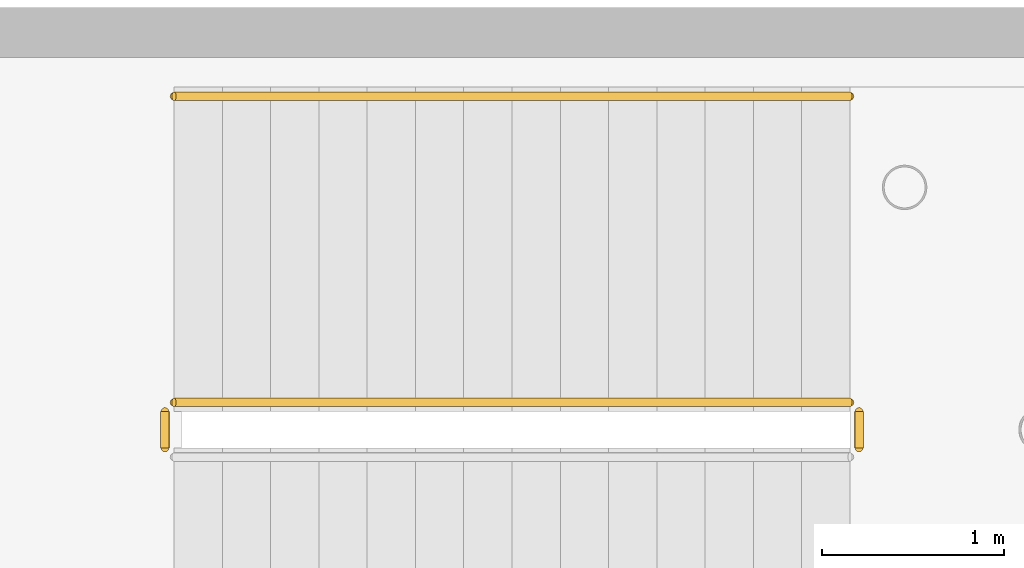
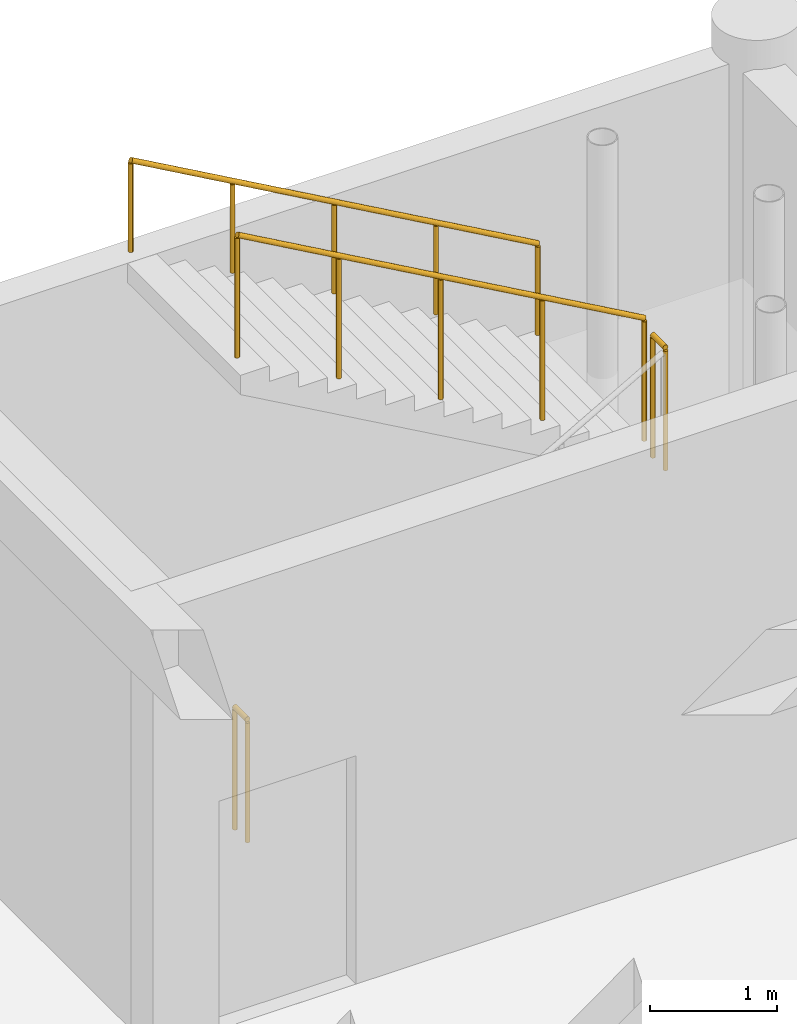
# One storey, part 155 of 160: 4 railings.
"""IFC4 building model written with IfcOpenShell, lengths in metres."""

from ifc_helpers import new_model, si_unit, direction, frame, origin, origin_2d, place, context, subcontext, project, spatial, circle, extrude, material, type_object, element, save


model = new_model("IFC4")

# Units and contexts
model_context = context("Model", 3, precision=1e-05, world=origin(), true_north=direction((0.0, 1.0)))
body_context = subcontext(model_context, "Body", "Model", "MODEL_VIEW")
ifc_project = project(units=[si_unit("LENGTHUNIT", "METRE"), si_unit("AREAUNIT", "SQUARE_METRE"), si_unit("VOLUMEUNIT", "CUBIC_METRE"), si_unit("PLANEANGLEUNIT", "RADIAN"), si_unit("MASSUNIT", "GRAM", prefix="KILO")], contexts=[model_context])

# Site, building, storey
site_placement = place(None, origin())
site = spatial("IfcSite", under=ifc_project, at=site_placement, CompositionType="ELEMENT")
building_placement = place(site_placement, origin())
building = spatial("IfcBuilding", under=site, at=building_placement, Name="Kharva Crest Polytechnic", CompositionType="ELEMENT")
storey_placement = place(building_placement, frame((0.0, 0.0, 4.5)))
storey = spatial("IfcBuildingStorey", under=building, at=storey_placement, Name="L01", CompositionType="ELEMENT", Elevation=4.5)

# Railings
ifc_material_1 = material(Name="Anodised aluminium", Category="aluminium")
railing_type_1 = type_object("IfcRailingType", Name="RL-STAIR-GUARD-1200", PredefinedType="GUARDRAIL", material=ifc_material_1)
railing_1_placement = place(storey_placement, frame((109.85009765625, 119.719970703125, 2.25)))
element("IfcRailing", 1, at=railing_1_placement, inside=storey, type_object=railing_type_1, Name="L01 ST-04 stair guard 2", PredefinedType="GUARDRAIL", context=body_context, shape_type="SweptSolid", body=[
    extrude(circle(Radius=0.02392578125, at=origin_2d()), frame((0.0, 0.0, 1.17578125), z_axis=(0.0, 1.0, 0.0), x_axis=(-1.0, 0.0, 0.0)), (0.0, 0.0, 1.0), 0.199951171875),
    extrude(circle(Radius=0.02099609375, at=origin_2d()), origin(), (0.0, 0.0, 1.0), 1.15185546875),
    extrude(circle(Radius=0.02099609375, at=origin_2d()), frame((0.0, 0.199951171875, 0.0)), (0.0, 0.0, 1.0), 1.15185546875),
])
railing_2_placement = place(storey_placement, frame((109.800048828125, 119.969970703125, 2.39990234375)))
element("IfcRailing", 2, at=railing_2_placement, inside=storey, type_object=railing_type_1, Name="L01 ST-04 stair guard 3", PredefinedType="GUARDRAIL", context=body_context, shape_type="SweptSolid", body=[
    extrude(circle(Radius=0.02392578125, at=origin_2d()), frame((0.0, 0.0, 1.17578125), z_axis=(-0.870244811389, 0.0, 0.492619496418), x_axis=(0.0, -1.0, 0.0)), (0.0, 0.0, 1.0), 4.26318359375),
    extrude(circle(Radius=0.02099609375, at=origin_2d()), origin(), (0.0, 0.0, 1.0), 1.15185546875),
    extrude(circle(Radius=0.02099609375, at=origin_2d()), frame((-0.927490234375, 0.0, 0.52490234375)), (0.0, 0.0, 1.0), 1.15185546875),
    extrude(circle(Radius=0.02099609375, at=origin_2d()), frame((-1.85498046875, 0.0, 1.050048828125)), (0.0, 0.0, 1.0), 1.15185546875),
    extrude(circle(Radius=0.02099609375, at=origin_2d()), frame((-2.782470703125, 0.0, 1.5751953125)), (0.0, 0.0, 1.0), 1.15185546875),
    extrude(circle(Radius=0.02099609375, at=origin_2d()), frame((-3.7099609375, 0.0, 2.10009765625)), (0.0, 0.0, 1.0), 1.15185546875),
])
railing_3_placement = place(storey_placement, frame((106.0400390625, 119.719970703125, 0.0)))
element("IfcRailing", 3, at=railing_3_placement, inside=storey, type_object=railing_type_1, Name="L01 ST-04 stair guard 4", PredefinedType="GUARDRAIL", context=body_context, shape_type="SweptSolid", body=[
    extrude(circle(Radius=0.02392578125, at=origin_2d()), frame((0.0, 0.0, 1.17578125), z_axis=(0.0, 1.0, 0.0), x_axis=(-1.0, 0.0, 0.0)), (0.0, 0.0, 1.0), 0.199951171875),
    extrude(circle(Radius=0.02099609375, at=origin_2d()), origin(), (0.0, 0.0, 1.0), 1.15185546875),
    extrude(circle(Radius=0.02099609375, at=origin_2d()), frame((0.0, 0.199951171875, 0.0)), (0.0, 0.0, 1.0), 1.15185546875),
])
ifc_material_2 = material(Name="Teak timber", Category="wood")
railing_type_2 = type_object("IfcRailingType", Name="RL-STAIR-HAND-900", PredefinedType="HANDRAIL", material=ifc_material_2)
railing_4_placement = place(storey_placement, frame((109.800048828125, 121.64990234375, 2.39990234375)))
element("IfcRailing", 4, at=railing_4_placement, inside=storey, type_object=railing_type_2, Name="L01 ST-04 stair handrail 2", PredefinedType="HANDRAIL", context=body_context, shape_type="SweptSolid", body=[
    extrude(circle(Radius=0.02392578125, at=origin_2d()), frame((0.0, 0.0, 0.8759765625), z_axis=(-0.870244811389, 0.0, 0.492619496418), x_axis=(0.0, -1.0, 0.0)), (0.0, 0.0, 1.0), 4.26318359375),
    extrude(circle(Radius=0.02099609375, at=origin_2d()), origin(), (0.0, 0.0, 1.0), 0.851806640625),
    extrude(circle(Radius=0.02099609375, at=origin_2d()), frame((-0.927490234375, 0.0, 0.52490234375)), (0.0, 0.0, 1.0), 0.851806640625),
    extrude(circle(Radius=0.02099609375, at=origin_2d()), frame((-1.85498046875, 0.0, 1.050048828125)), (0.0, 0.0, 1.0), 0.851806640625),
    extrude(circle(Radius=0.02099609375, at=origin_2d()), frame((-2.782470703125, 0.0, 1.5751953125)), (0.0, 0.0, 1.0), 0.851806640625),
    extrude(circle(Radius=0.02099609375, at=origin_2d()), frame((-3.7099609375, 0.0, 2.10009765625)), (0.0, 0.0, 1.0), 0.851806640625),
])

save(model, "model.ifc")
